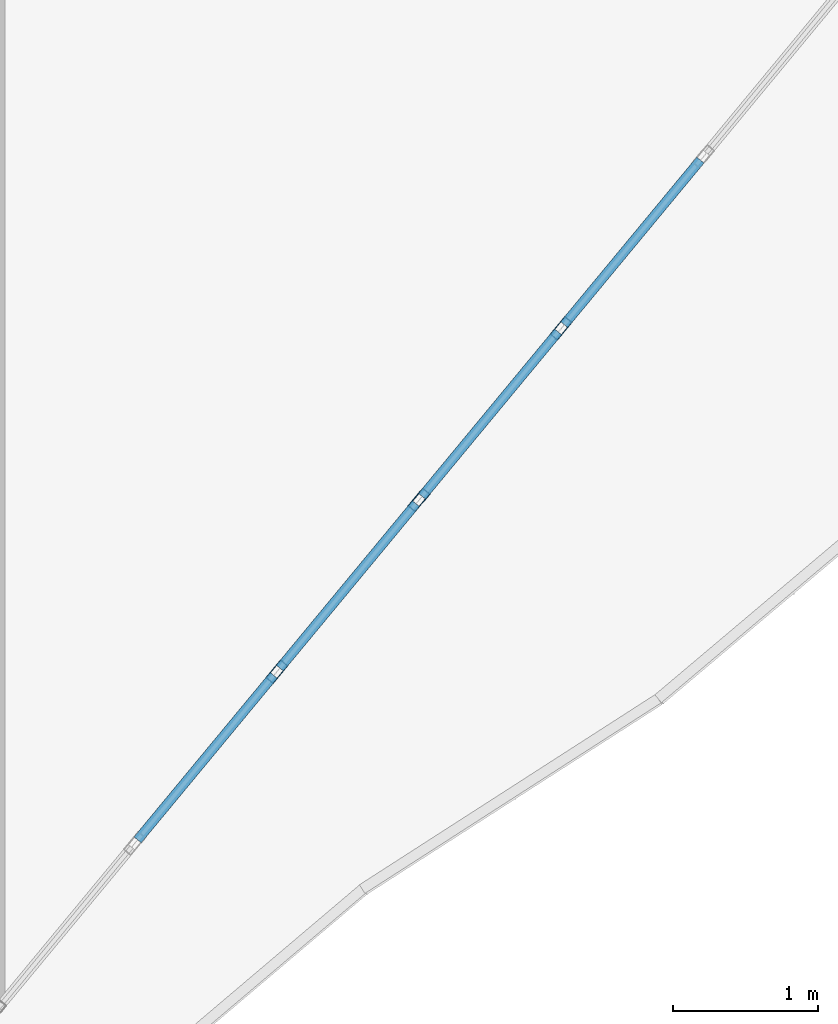
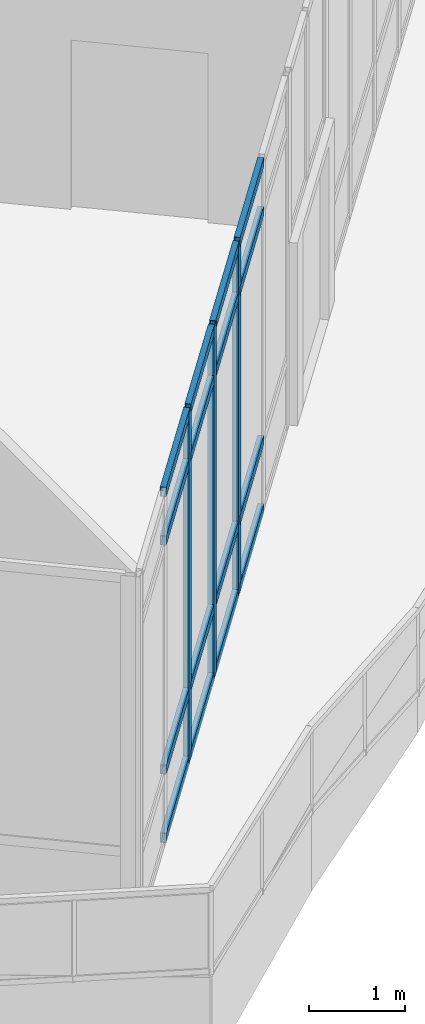
# One storey, part 96 of 155: 19 members, 1 element without a shape of its own.
"""IFC4 building model written with IfcOpenShell, lengths in metres."""

from ifc_helpers import new_model, si_unit, direction, frame, origin, origin_2d, place, context, subcontext, project, spatial, hollow_rectangle, extrude, material, material_profile, profile_set, type_object, element, aggregate, save


model = new_model("IFC4")

# Units and contexts
model_context = context("Model", 3, precision=1e-05, world=origin(), true_north=direction((0.0, 1.0)))
body_context = subcontext(model_context, "Body", "Model", "MODEL_VIEW")
ifc_project = project(units=[si_unit("LENGTHUNIT", "METRE"), si_unit("AREAUNIT", "SQUARE_METRE"), si_unit("VOLUMEUNIT", "CUBIC_METRE"), si_unit("PLANEANGLEUNIT", "RADIAN"), si_unit("MASSUNIT", "GRAM", prefix="KILO")], contexts=[model_context])

# Site, building, storey
site_placement = place(None, origin())
site = spatial("IfcSite", under=ifc_project, at=site_placement, CompositionType="ELEMENT")
building_placement = place(site_placement, origin())
building = spatial("IfcBuilding", under=site, at=building_placement, Name="Selatvlak General Hospital", CompositionType="ELEMENT")
storey_placement = place(building_placement, frame((0.0, 0.0, 10.199951171875)))
storey = spatial("IfcBuildingStorey", under=building, at=storey_placement, Name="L02", CompositionType="ELEMENT", Elevation=10.199951171875)

# Curtain wall, members
ifc_material_1 = material(Name="Solar-control Low-E double glazing", Category="glass")
curtain_wall_type = type_object("IfcCurtainWallType", Name="CW-CW-01", PredefinedType="USERDEFINED", material=ifc_material_1)
curtain_wall_placement = place(storey_placement, origin())
curtain_wall = element("IfcCurtainWall", 1, at=curtain_wall_placement, inside=storey, type_object=curtain_wall_type, Name="Glazed facade curtain wall CW-L02-0274", ObjectType="UNITISED CURTAIN WALL", PredefinedType="USERDEFINED")
ifc_material_2 = material(Name="Dark anodised aluminium mullion", Category="aluminium")
ifc_material_profile_1 = material_profile(ifc_material_2, hollow_rectangle(XDim=0.06494140625, YDim=0.159912109375, WallThickness=0.00390625, at=origin_2d()), Name="AL-MUL 65x160x4")
ifc_profile_set_1 = profile_set([ifc_material_profile_1], Name="Dark anodised aluminium mullion")
member_type_1 = type_object("IfcMemberType", Name="CWM-01", PredefinedType="MULLION", material=ifc_profile_set_1)
member_1_placement = place(storey_placement, frame((169.48291015625, 48.69775390625, 0.0), z_axis=(0.0, 0.0, 1.0), x_axis=(0.770267232802, -0.637721247938, 0.0)))
member_1 = element("IfcMember", 2, at=member_1_placement, type_object=member_type_1, Name="CW-01 mullion 3", PredefinedType="MULLION", context=body_context, shape_type="SweptSolid", body=[
    extrude(hollow_rectangle(XDim=0.06494140625, YDim=0.159912109375, WallThickness=0.00390625, at=origin_2d()), origin(), (0.0, 0.0, 1.0), 4.4599609375),
])
member_2_placement = place(storey_placement, frame((168.505615234375, 47.51708984375, 0.0), z_axis=(0.0, 0.0, 1.0), x_axis=(0.770267232802, -0.637721247938, 0.0)))
member_2 = element("IfcMember", 3, at=member_2_placement, type_object=member_type_1, Name="CW-01 mullion 4", PredefinedType="MULLION", context=body_context, shape_type="SweptSolid", body=[
    extrude(hollow_rectangle(XDim=0.06494140625, YDim=0.159912109375, WallThickness=0.00390625, at=origin_2d()), origin(), (0.0, 0.0, 1.0), 4.4599609375),
])
member_3_placement = place(storey_placement, frame((167.528076171875, 46.33642578125, 0.0), z_axis=(0.0, 0.0, 1.0), x_axis=(0.770267232802, -0.637721247938, 0.0)))
member_3 = element("IfcMember", 4, at=member_3_placement, type_object=member_type_1, Name="CW-01 mullion 5", PredefinedType="MULLION", context=body_context, shape_type="SweptSolid", body=[
    extrude(hollow_rectangle(XDim=0.06494140625, YDim=0.159912109375, WallThickness=0.00390625, at=origin_2d()), origin(), (0.0, 0.0, 1.0), 4.4599609375),
])
ifc_material_profile_2 = material_profile(ifc_material_2, hollow_rectangle(XDim=0.06494140625, YDim=0.1201171875, WallThickness=0.00390625, at=origin_2d()), Name="AL-TRN 65x120x4")
ifc_profile_set_2 = profile_set([ifc_material_profile_2], Name="Dark anodised aluminium mullion")
member_type_2 = type_object("IfcMemberType", Name="CWT-01", PredefinedType="USERDEFINED", material=ifc_profile_set_2)
member_4_placement = place(storey_placement, frame((170.439697265625, 49.853271484375, 0.032470703125), z_axis=(-0.637710674404, -0.770275986742, 0.0), x_axis=(0.770275986742, -0.637710674404, 0.0)))
member_4 = element("IfcMember", 5, at=member_4_placement, type_object=member_type_2, Name="CW-01 transom 2.1", ObjectType="TRANSOM", PredefinedType="USERDEFINED", context=body_context, shape_type="SweptSolid", body=[
    extrude(hollow_rectangle(XDim=0.06494140625, YDim=0.1201171875, WallThickness=0.00390625, at=origin_2d()), origin(), (0.0, 0.0, 1.0), 1.4677734375),
])
member_5_placement = place(storey_placement, frame((170.439697265625, 49.853271484375, 0.900146484375), z_axis=(-0.637710674404, -0.770275986742, 0.0), x_axis=(0.770275986742, -0.637710674404, 0.0)))
member_5 = element("IfcMember", 6, at=member_5_placement, type_object=member_type_2, Name="CW-01 transom 2.2", ObjectType="TRANSOM", PredefinedType="USERDEFINED", context=body_context, shape_type="SweptSolid", body=[
    extrude(hollow_rectangle(XDim=0.06494140625, YDim=0.1201171875, WallThickness=0.00390625, at=origin_2d()), origin(), (0.0, 0.0, 1.0), 1.4677734375),
])
member_6_placement = place(storey_placement, frame((170.439697265625, 49.853271484375, 3.81005859375), z_axis=(-0.637710674404, -0.770275986742, 0.0), x_axis=(0.770275986742, -0.637710674404, 0.0)))
member_6 = element("IfcMember", 7, at=member_6_placement, type_object=member_type_2, Name="CW-01 transom 2.3", ObjectType="TRANSOM", PredefinedType="USERDEFINED", context=body_context, shape_type="SweptSolid", body=[
    extrude(hollow_rectangle(XDim=0.06494140625, YDim=0.1201171875, WallThickness=0.00390625, at=origin_2d()), origin(), (0.0, 0.0, 1.0), 1.4677734375),
])
member_7_placement = place(storey_placement, frame((170.439697265625, 49.853271484375, 4.427490234375), z_axis=(-0.637710674404, -0.770275986742, 0.0), x_axis=(0.770275986742, -0.637710674404, 0.0)))
member_7 = element("IfcMember", 8, at=member_7_placement, type_object=member_type_2, Name="CW-01 transom 2.4", ObjectType="TRANSOM", PredefinedType="USERDEFINED", context=body_context, shape_type="SweptSolid", body=[
    extrude(hollow_rectangle(XDim=0.06494140625, YDim=0.1201171875, WallThickness=0.00390625, at=origin_2d()), origin(), (0.0, 0.0, 1.0), 1.4677734375),
])
member_8_placement = place(storey_placement, frame((169.462158203125, 48.672607421875, 0.032470703125), z_axis=(-0.637710674404, -0.770275986742, 0.0), x_axis=(0.770275986742, -0.637710674404, 0.0)))
member_8 = element("IfcMember", 9, at=member_8_placement, type_object=member_type_2, Name="CW-01 transom 3.1", ObjectType="TRANSOM", PredefinedType="USERDEFINED", context=body_context, shape_type="SweptSolid", body=[
    extrude(hollow_rectangle(XDim=0.06494140625, YDim=0.1201171875, WallThickness=0.00390625, at=origin_2d()), origin(), (0.0, 0.0, 1.0), 1.4677734375),
])
member_9_placement = place(storey_placement, frame((169.462158203125, 48.672607421875, 0.900146484375), z_axis=(-0.637710674404, -0.770275986742, 0.0), x_axis=(0.770275986742, -0.637710674404, 0.0)))
member_9 = element("IfcMember", 10, at=member_9_placement, type_object=member_type_2, Name="CW-01 transom 3.2", ObjectType="TRANSOM", PredefinedType="USERDEFINED", context=body_context, shape_type="SweptSolid", body=[
    extrude(hollow_rectangle(XDim=0.06494140625, YDim=0.1201171875, WallThickness=0.00390625, at=origin_2d()), origin(), (0.0, 0.0, 1.0), 1.4677734375),
])
member_10_placement = place(storey_placement, frame((169.462158203125, 48.672607421875, 3.81005859375), z_axis=(-0.637710674404, -0.770275986742, 0.0), x_axis=(0.770275986742, -0.637710674404, 0.0)))
member_10 = element("IfcMember", 11, at=member_10_placement, type_object=member_type_2, Name="CW-01 transom 3.3", ObjectType="TRANSOM", PredefinedType="USERDEFINED", context=body_context, shape_type="SweptSolid", body=[
    extrude(hollow_rectangle(XDim=0.06494140625, YDim=0.1201171875, WallThickness=0.00390625, at=origin_2d()), origin(), (0.0, 0.0, 1.0), 1.4677734375),
])
member_11_placement = place(storey_placement, frame((169.462158203125, 48.672607421875, 4.427490234375), z_axis=(-0.637710674404, -0.770275986742, 0.0), x_axis=(0.770275986742, -0.637710674404, 0.0)))
member_11 = element("IfcMember", 12, at=member_11_placement, type_object=member_type_2, Name="CW-01 transom 3.4", ObjectType="TRANSOM", PredefinedType="USERDEFINED", context=body_context, shape_type="SweptSolid", body=[
    extrude(hollow_rectangle(XDim=0.06494140625, YDim=0.1201171875, WallThickness=0.00390625, at=origin_2d()), origin(), (0.0, 0.0, 1.0), 1.4677734375),
])
member_12_placement = place(storey_placement, frame((168.48486328125, 47.491943359375, 0.032470703125), z_axis=(-0.637710674404, -0.770275986742, 0.0), x_axis=(0.770275986742, -0.637710674404, 0.0)))
member_12 = element("IfcMember", 13, at=member_12_placement, type_object=member_type_2, Name="CW-01 transom 4.1", ObjectType="TRANSOM", PredefinedType="USERDEFINED", context=body_context, shape_type="SweptSolid", body=[
    extrude(hollow_rectangle(XDim=0.06494140625, YDim=0.1201171875, WallThickness=0.00390625, at=origin_2d()), origin(), (0.0, 0.0, 1.0), 1.4677734375),
])
member_13_placement = place(storey_placement, frame((168.48486328125, 47.491943359375, 0.900146484375), z_axis=(-0.637710674404, -0.770275986742, 0.0), x_axis=(0.770275986742, -0.637710674404, 0.0)))
member_13 = element("IfcMember", 14, at=member_13_placement, type_object=member_type_2, Name="CW-01 transom 4.2", ObjectType="TRANSOM", PredefinedType="USERDEFINED", context=body_context, shape_type="SweptSolid", body=[
    extrude(hollow_rectangle(XDim=0.06494140625, YDim=0.1201171875, WallThickness=0.00390625, at=origin_2d()), origin(), (0.0, 0.0, 1.0), 1.4677734375),
])
member_14_placement = place(storey_placement, frame((168.48486328125, 47.491943359375, 3.81005859375), z_axis=(-0.637710674404, -0.770275986742, 0.0), x_axis=(0.770275986742, -0.637710674404, 0.0)))
member_14 = element("IfcMember", 15, at=member_14_placement, type_object=member_type_2, Name="CW-01 transom 4.3", ObjectType="TRANSOM", PredefinedType="USERDEFINED", context=body_context, shape_type="SweptSolid", body=[
    extrude(hollow_rectangle(XDim=0.06494140625, YDim=0.1201171875, WallThickness=0.00390625, at=origin_2d()), origin(), (0.0, 0.0, 1.0), 1.4677734375),
])
member_15_placement = place(storey_placement, frame((168.48486328125, 47.491943359375, 4.427490234375), z_axis=(-0.637710674404, -0.770275986742, 0.0), x_axis=(0.770275986742, -0.637710674404, 0.0)))
member_15 = element("IfcMember", 16, at=member_15_placement, type_object=member_type_2, Name="CW-01 transom 4.4", ObjectType="TRANSOM", PredefinedType="USERDEFINED", context=body_context, shape_type="SweptSolid", body=[
    extrude(hollow_rectangle(XDim=0.06494140625, YDim=0.1201171875, WallThickness=0.00390625, at=origin_2d()), origin(), (0.0, 0.0, 1.0), 1.4677734375),
])
member_16_placement = place(storey_placement, frame((167.50732421875, 46.311279296875, 0.032470703125), z_axis=(-0.637710674404, -0.770275986742, 0.0), x_axis=(0.770275986742, -0.637710674404, 0.0)))
member_16 = element("IfcMember", 17, at=member_16_placement, type_object=member_type_2, Name="CW-01 transom 5.1", ObjectType="TRANSOM", PredefinedType="USERDEFINED", context=body_context, shape_type="SweptSolid", body=[
    extrude(hollow_rectangle(XDim=0.06494140625, YDim=0.1201171875, WallThickness=0.00390625, at=origin_2d()), origin(), (0.0, 0.0, 1.0), 1.4677734375),
])
member_17_placement = place(storey_placement, frame((167.50732421875, 46.311279296875, 0.900146484375), z_axis=(-0.637710674404, -0.770275986742, 0.0), x_axis=(0.770275986742, -0.637710674404, 0.0)))
member_17 = element("IfcMember", 18, at=member_17_placement, type_object=member_type_2, Name="CW-01 transom 5.2", ObjectType="TRANSOM", PredefinedType="USERDEFINED", context=body_context, shape_type="SweptSolid", body=[
    extrude(hollow_rectangle(XDim=0.06494140625, YDim=0.1201171875, WallThickness=0.00390625, at=origin_2d()), origin(), (0.0, 0.0, 1.0), 1.4677734375),
])
member_18_placement = place(storey_placement, frame((167.50732421875, 46.311279296875, 3.81005859375), z_axis=(-0.637710674404, -0.770275986742, 0.0), x_axis=(0.770275986742, -0.637710674404, 0.0)))
member_18 = element("IfcMember", 19, at=member_18_placement, type_object=member_type_2, Name="CW-01 transom 5.3", ObjectType="TRANSOM", PredefinedType="USERDEFINED", context=body_context, shape_type="SweptSolid", body=[
    extrude(hollow_rectangle(XDim=0.06494140625, YDim=0.1201171875, WallThickness=0.00390625, at=origin_2d()), origin(), (0.0, 0.0, 1.0), 1.4677734375),
])
member_19_placement = place(storey_placement, frame((167.50732421875, 46.311279296875, 4.427490234375), z_axis=(-0.637710674404, -0.770275986742, 0.0), x_axis=(0.770275986742, -0.637710674404, 0.0)))
member_19 = element("IfcMember", 20, at=member_19_placement, type_object=member_type_2, Name="CW-01 transom 5.4", ObjectType="TRANSOM", PredefinedType="USERDEFINED", context=body_context, shape_type="SweptSolid", body=[
    extrude(hollow_rectangle(XDim=0.06494140625, YDim=0.1201171875, WallThickness=0.00390625, at=origin_2d()), origin(), (0.0, 0.0, 1.0), 1.4677734375),
])
aggregate(curtain_wall, [member_1, member_2, member_3, member_4, member_5, member_6, member_7, member_8, member_9, member_10, member_11, member_12, member_13, member_14, member_15, member_16, member_17, member_18, member_19])

save(model, "model.ifc")
